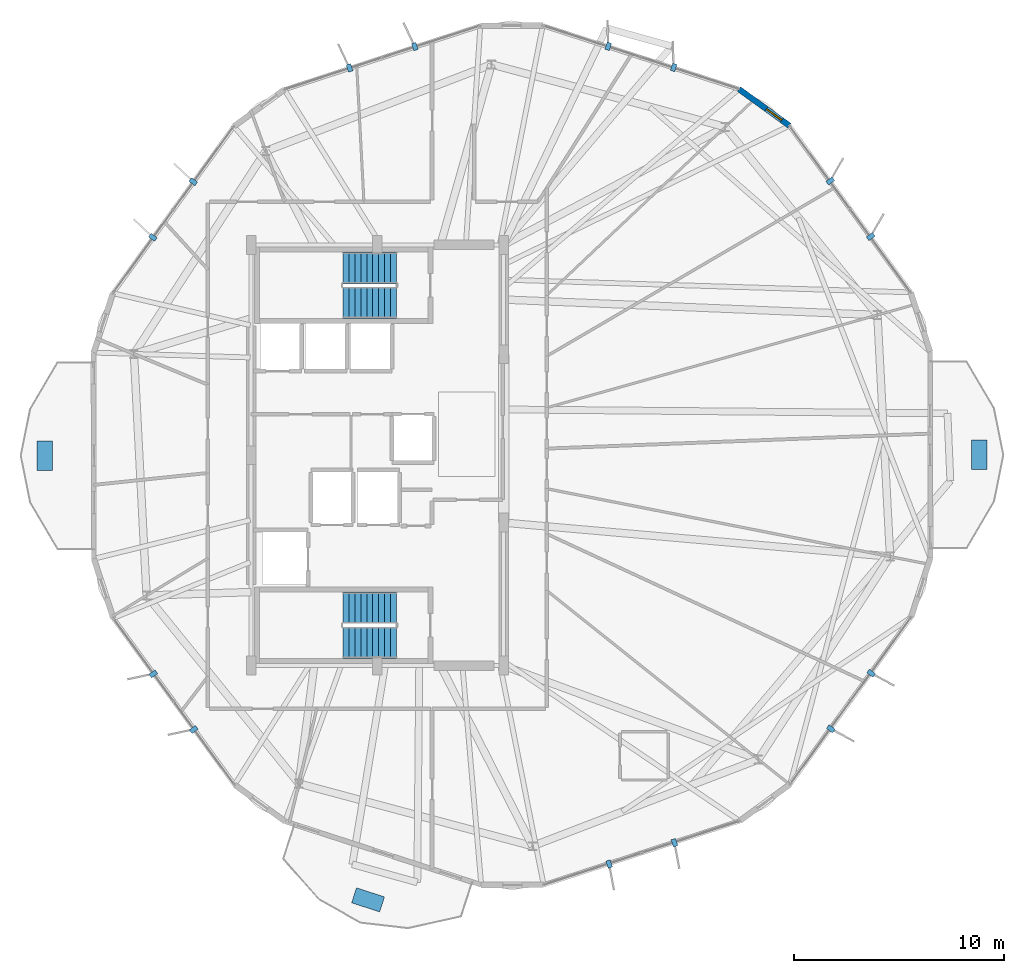
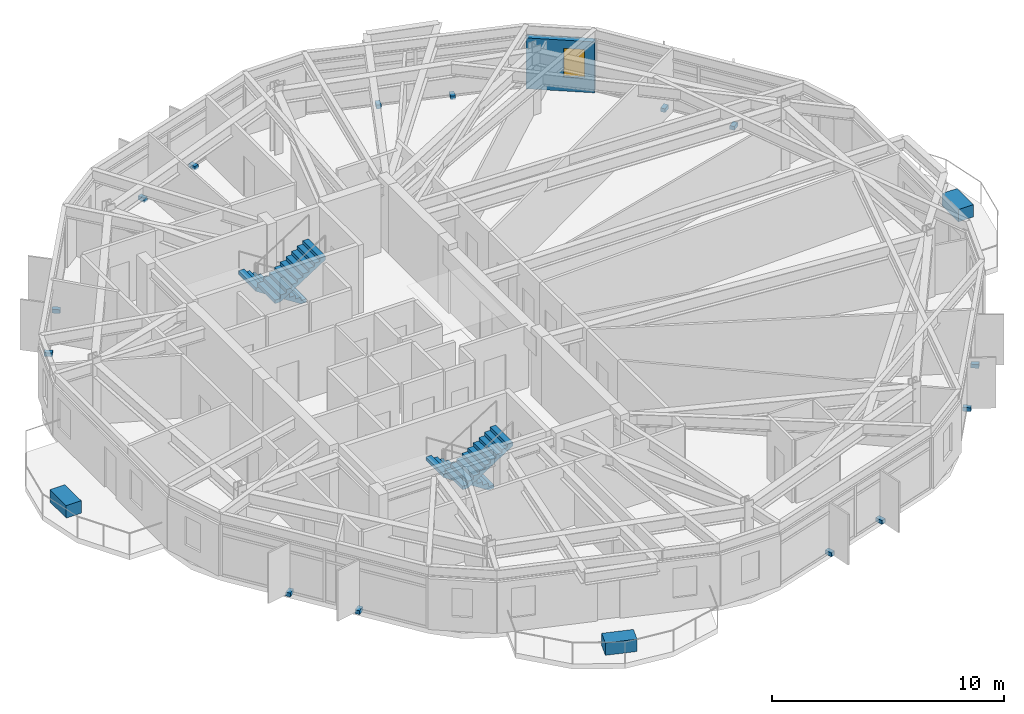
# One storey, part 28 of 31: 17 discrete accessories, 4 stair flights, 1 wall, 1 window, 1 opening, 2 elements without a shape of their own.
"""IFC4 building model written with IfcOpenShell, lengths in metres."""

from ifc_helpers import new_model, si_unit, direction, frame, frame_2d, origin, origin_2d, place, context, subcontext, project, spatial, polyline, rectangle, outline, extrude, material, layer, layer_set, type_object, element, fill, aggregate, save


model = new_model("IFC4")

# Units and contexts
model_context = context("Model", 3, precision=1e-05, world=origin(), true_north=direction((0.0, 1.0)))
body_context = subcontext(model_context, "Body", "Model", "MODEL_VIEW")
ifc_project = project(units=[si_unit("LENGTHUNIT", "METRE"), si_unit("AREAUNIT", "SQUARE_METRE"), si_unit("VOLUMEUNIT", "CUBIC_METRE"), si_unit("PLANEANGLEUNIT", "RADIAN"), si_unit("MASSUNIT", "GRAM", prefix="KILO")], contexts=[model_context])

# Site, building, storey
site_placement = place(None, origin())
site = spatial("IfcSite", under=ifc_project, at=site_placement, CompositionType="ELEMENT")
building_placement = place(site_placement, origin())
building = spatial("IfcBuilding", under=site, at=building_placement, Name="Soratama Intermodal Tower", CompositionType="ELEMENT")
storey_placement = place(building_placement, frame((0.0, 0.0, 230.199951171875)))
storey = spatial("IfcBuildingStorey", under=building, at=storey_placement, Name="L58", CompositionType="ELEMENT", Elevation=230.199951171875)

# Wall, opening, window
ifc_material_1 = material(Name="Concrete f'c 42 MPa", Category="concrete")
ifc_layer_1 = layer(ifc_material_1, 0.27001953125)
ifc_layer_set_1 = layer_set([ifc_layer_1], Name="Concrete f'c 42 MPa")
wall_type = type_object("IfcWallType", Name="EW-CRN-270", PredefinedType="SOLIDWALL", material=ifc_layer_set_1)
wall_placement = place(storey_placement, frame((58.18505859375, 40.660400390625, 0.0), z_axis=(0.0, 0.0, 1.0), x_axis=(-0.809631952519, 0.586937902558, 0.0)))
wall = element("IfcWall", 1, at=wall_placement, inside=storey, type_object=wall_type, Name="L58 Corner Closure Wall 10", PredefinedType="SOLIDWALL", context=body_context, shape_type="SweptSolid", body=[
    extrude(rectangle(XDim=2.966552734375, YDim=0.27001953125, at=frame_2d((1.4833984375, 0.0))), origin(), (0.0, 0.0, 1.0), 2.678955078125),
])
opening_placement = place(wall_placement, frame((0.449951171875, 0.0, 0.75)))
opening = element("IfcOpeningElement", 2, at=opening_placement, cuts=wall, Name="Opening WN-6", PredefinedType="OPENING", context=body_context, shape_type="SweptSolid", body=[
    extrude(rectangle(XDim=0.89990234375, YDim=1.5, at=frame_2d((0.449951171875, 0.75))), frame((0.0, 0.14501953125, 0.0), z_axis=(0.0, -1.0, 0.0), x_axis=(1.0, 0.0, 0.0)), (0.0, 0.0, 1.0), 0.2900390625),
])
ifc_material_2 = material(Name="Double-glazed aluminium window", Category="aluminium")
window_type = type_object("IfcWindowType", Name="WN-FAC-900", PartitioningType="SINGLE_PANEL", PredefinedType="WINDOW", material=ifc_material_2)
window_placement = place(opening_placement, origin())
window = element("IfcWindow", 3, at=window_placement, inside=storey, type_object=window_type, Name="L58 Corner Window 10", OverallHeight=1.5, OverallWidth=0.89990234375, PartitioningType="SINGLE_PANEL", PredefinedType="WINDOW", context=body_context, shape_type="SweptSolid", body=[
    extrude(rectangle(XDim=0.89990234375, YDim=1.5, at=frame_2d((0.449951171875, 0.75))), frame((0.0, 0.030029296875, 0.0), z_axis=(0.0, -1.0, 0.0), x_axis=(1.0, 0.0, 0.0)), (0.0, 0.0, 1.0), 0.06005859375),
])
fill(opening, window)

# Stair, stair flights
ifc_material_3 = material(Name="Concrete f'c 42 MPa", Category="concrete")
stair_type = type_object("IfcStairType", Name="ST-CORE-DOGLEG", PredefinedType="HALF_TURN_STAIR", material=ifc_material_3)
stair_1_placement = place(storey_placement, origin())
stair_1 = element("IfcStair", 4, at=stair_1_placement, inside=storey, type_object=stair_type, Name="L58 ST-1", PredefinedType="HALF_TURN_STAIR")
ifc_material_4 = material(Name="Precast concrete f'c 40 MPa", Category="concrete")
ifc_layer_2 = layer(ifc_material_4, 0.199951171875)
ifc_layer_set_2 = layer_set([ifc_layer_2], Name="Precast concrete f'c 40 MPa")
stair_flight_type = type_object("IfcStairFlightType", Name="SF-FLIGHT-RC", PredefinedType="STRAIGHT", material=ifc_layer_set_2)
stair_flight_1_placement = place(storey_placement, frame((39.5, 17.75, 0.0), z_axis=(0.0, 0.0, 1.0), x_axis=(-1.0, 0.0, 0.0)))
stair_flight_1 = element("IfcStairFlight", 5, at=stair_flight_1_placement, type_object=stair_flight_type, Name="ST-1 flight 1", NumberOfRisers=10, NumberOfTreads=9, PredefinedType="STRAIGHT", RiserHeight=0.18, TreadLength=0.28, context=body_context, shape_type="SweptSolid", body=[
    extrude(outline(polyline([(0.0, 0.0), (0.0, 0.179931640625), (0.280029296875, 0.179931640625), (0.280029296875, 0.360107421875), (0.56005859375, 0.360107421875), (0.56005859375, 0.5400390625), (0.840087890625, 0.5400390625), (0.840087890625, 0.719970703125), (1.1201171875, 0.719970703125), (1.1201171875, 0.89990234375), (1.39990234375, 0.89990234375), (1.39990234375, 1.080078125), (1.679931640625, 1.080078125), (1.679931640625, 1.260009765625), (1.9599609375, 1.260009765625), (1.9599609375, 1.43994140625), (2.239990234375, 1.43994140625), (2.239990234375, 1.6201171875), (2.52001953125, 1.6201171875), (2.52001953125, 1.800048828125), (2.52001953125, 1.44189453125), (0.277099609375, 0.0), (0.0, 0.0)])), frame((0.0, 0.75, 0.0), z_axis=(0.0, -1.0, 0.0), x_axis=(1.0, 0.0, 0.0)), (0.0, 0.0, 1.0), 1.5),
])
stair_flight_2_placement = place(storey_placement, frame((36.97998046875, 16.10009765625, 1.800048828125), z_axis=(0.0, 0.0, 1.0), x_axis=(1.0, 0.0, 0.0)))
stair_flight_2 = element("IfcStairFlight", 6, at=stair_flight_2_placement, type_object=stair_flight_type, Name="ST-1 flight 2", NumberOfRisers=10, NumberOfTreads=9, PredefinedType="STRAIGHT", RiserHeight=0.18, TreadLength=0.28, context=body_context, shape_type="SweptSolid", body=[
    extrude(outline(polyline([(0.0, 0.0), (0.0, 0.179931640625), (0.280029296875, 0.179931640625), (0.280029296875, 0.360107421875), (0.56005859375, 0.360107421875), (0.56005859375, 0.5400390625), (0.840087890625, 0.5400390625), (0.840087890625, 0.719970703125), (1.1201171875, 0.719970703125), (1.1201171875, 0.89990234375), (1.39990234375, 0.89990234375), (1.39990234375, 1.080078125), (1.679931640625, 1.080078125), (1.679931640625, 1.260009765625), (1.9599609375, 1.260009765625), (1.9599609375, 1.43994140625), (2.239990234375, 1.43994140625), (2.239990234375, 1.6201171875), (2.52001953125, 1.6201171875), (2.52001953125, 1.800048828125), (2.52001953125, 1.44189453125), (0.277099609375, 0.0), (0.0, 0.0)])), frame((0.0, 0.75, 0.0), z_axis=(0.0, -1.0, 0.0), x_axis=(1.0, 0.0, 0.0)), (0.0, 0.0, 1.0), 1.5),
])
aggregate(stair_1, [stair_flight_1, stair_flight_2])

stair_2_placement = place(storey_placement, origin())
stair_2 = element("IfcStair", 7, at=stair_2_placement, inside=storey, type_object=stair_type, Name="L58 ST-2", PredefinedType="HALF_TURN_STAIR")
stair_flight_3_placement = place(storey_placement, frame((39.5, 33.89990234375, 0.0), z_axis=(0.0, 0.0, 1.0), x_axis=(-1.0, 0.0, 0.0)))
stair_flight_3 = element("IfcStairFlight", 8, at=stair_flight_3_placement, type_object=stair_flight_type, Name="ST-2 flight 1", NumberOfRisers=10, NumberOfTreads=9, PredefinedType="STRAIGHT", RiserHeight=0.18, TreadLength=0.28, context=body_context, shape_type="SweptSolid", body=[
    extrude(outline(polyline([(0.0, 0.0), (0.0, 0.179931640625), (0.280029296875, 0.179931640625), (0.280029296875, 0.360107421875), (0.56005859375, 0.360107421875), (0.56005859375, 0.5400390625), (0.840087890625, 0.5400390625), (0.840087890625, 0.719970703125), (1.1201171875, 0.719970703125), (1.1201171875, 0.89990234375), (1.39990234375, 0.89990234375), (1.39990234375, 1.080078125), (1.679931640625, 1.080078125), (1.679931640625, 1.260009765625), (1.9599609375, 1.260009765625), (1.9599609375, 1.43994140625), (2.239990234375, 1.43994140625), (2.239990234375, 1.6201171875), (2.52001953125, 1.6201171875), (2.52001953125, 1.800048828125), (2.52001953125, 1.44189453125), (0.277099609375, 0.0), (0.0, 0.0)])), frame((0.0, 0.75, 0.0), z_axis=(0.0, -1.0, 0.0), x_axis=(1.0, 0.0, 0.0)), (0.0, 0.0, 1.0), 1.5),
])
stair_flight_4_placement = place(storey_placement, frame((36.97998046875, 32.25, 1.800048828125), z_axis=(0.0, 0.0, 1.0), x_axis=(1.0, 0.0, 0.0)))
stair_flight_4 = element("IfcStairFlight", 9, at=stair_flight_4_placement, type_object=stair_flight_type, Name="ST-2 flight 2", NumberOfRisers=10, NumberOfTreads=9, PredefinedType="STRAIGHT", RiserHeight=0.18, TreadLength=0.28, context=body_context, shape_type="SweptSolid", body=[
    extrude(outline(polyline([(0.0, 0.0), (0.0, 0.179931640625), (0.280029296875, 0.179931640625), (0.280029296875, 0.360107421875), (0.56005859375, 0.360107421875), (0.56005859375, 0.5400390625), (0.840087890625, 0.5400390625), (0.840087890625, 0.719970703125), (1.1201171875, 0.719970703125), (1.1201171875, 0.89990234375), (1.39990234375, 0.89990234375), (1.39990234375, 1.080078125), (1.679931640625, 1.080078125), (1.679931640625, 1.260009765625), (1.9599609375, 1.260009765625), (1.9599609375, 1.43994140625), (2.239990234375, 1.43994140625), (2.239990234375, 1.6201171875), (2.52001953125, 1.6201171875), (2.52001953125, 1.800048828125), (2.52001953125, 1.44189453125), (0.277099609375, 0.0), (0.0, 0.0)])), frame((0.0, 0.75, 0.0), z_axis=(0.0, -1.0, 0.0), x_axis=(1.0, 0.0, 0.0)), (0.0, 0.0, 1.0), 1.5),
])
aggregate(stair_2, [stair_flight_3, stair_flight_4])

# Discrete accessories
ifc_material_5 = material(Name="Structural steel ASTM A992 Grade 50", Category="steel")
discrete_accessory_type_1 = type_object("IfcDiscreteAccessoryType", Name="AC-FIN-BRACKET", PredefinedType="BRACKET", material=ifc_material_5)
for number, where, z_axis, x_axis, name in (
    (10, (52.682373046875, 43.4267578125, -0.080078125), (0.0, 0.0, 1.0), (0.308020881065, 0.951379596601, 0.0), "L58 Fin Bracket F01-1"),
    (11, (49.5751953125, 44.4326171875, -0.080078125), (0.0, 0.0, 1.0), (0.308020881065, 0.951379596601, 0.0), "L58 Fin Bracket F01-2"),
    (12, (40.384033203125, 44.423095703125, -0.080078125), (0.0, 0.0, 1.0), (-0.31001276881, 0.950732393039, 0.0), "L58 Fin Bracket F02-1"),
    (13, (37.279296875, 43.41064453125, -0.080078125), (0.0, 0.0, 1.0), (-0.31001276881, 0.950732393039, 0.0), "L58 Fin Bracket F02-2"),
    (14, (29.84912109375, 38.00048828125, -0.080078125), (0.0, 0.0, 1.0), (-0.809632077946, 0.586937729543, 0.0), "L58 Fin Bracket F03-1"),
    (15, (27.932373046875, 35.356201171875, -0.080078125), (0.0, 0.0, 1.0), (-0.809632077946, 0.586937729543, 0.0), "L58 Fin Bracket F03-2"),
    (16, (27.9541015625, 14.60791015625, -0.080078125), (0.0, 0.0, 1.0), (-0.808401023617, -0.588632130464, 0.0), "L58 Fin Bracket F05-1"),
    (17, (29.87646484375, 11.968017578125, -0.080078125), (0.0, 0.0, 1.0), (-0.808401023617, -0.588632130464, 0.0), "L58 Fin Bracket F05-2"),
    (18, (49.615966796875, 5.576904296875, -0.080078125), (0.0, 0.0, 1.0), (0.31001276881, -0.950732393039, 0.0), "L58 Fin Bracket F07-1"),
    (19, (52.720703125, 6.58935546875, -0.080078125), (0.0, 0.0, 1.0), (0.31001276881, -0.950732393039, 0.0), "L58 Fin Bracket F07-2"),
    (20, (60.15087890625, 11.99951171875, -0.080078125), (0.0, 0.0, 1.0), (0.809632077946, -0.586937729543, 0.0), "L58 Fin Bracket F08-1"),
    (21, (62.067626953125, 14.643798828125, -0.080078125), (0.0, 0.0, 1.0), (0.809632077946, -0.586937729543, 0.0), "L58 Fin Bracket F08-2"),
    (22, (62.0458984375, 35.39208984375, -0.080078125), (0.0, 0.0, 1.0), (0.808401023617, 0.588632130464, 0.0), "L58 Fin Bracket F10-1"),
    (23, (60.12353515625, 38.031982421875, -0.080078125), (0.0, 0.0, 1.0), (0.808401023617, 0.588632130464, 0.0), "L58 Fin Bracket F10-2"),
):
    element("IfcDiscreteAccessory", number, at=place(storey_placement, frame(where, z_axis=z_axis, x_axis=x_axis)), inside=storey, type_object=discrete_accessory_type_1, Name=name, PredefinedType="BRACKET", context=body_context, shape_type="SweptSolid", body=[
        extrude(rectangle(XDim=0.360107421875, YDim=0.219970703125, at=origin_2d()), origin(), (0.0, 0.0, 1.0), 0.199951171875),
    ])
ifc_material_6 = material(Name="Precast concrete f'c 40 MPa", Category="concrete")
discrete_accessory_type_2 = type_object("IfcDiscreteAccessoryType", Name="AC-PLANTER-TREE", PredefinedType="USERDEFINED", material=ifc_material_6)
for number, where, z_axis, x_axis, name in (
    (24, (67.20703125, 25.023193359375, 0.0), (0.0, 0.0, 1.0), (0.999999451689, 0.00104719736, 0.0), "L58 Tree Planter 1"),
    (25, (22.79296875, 24.976806640625, 0.0), (0.0, 0.0, 1.0), (-0.999999451689, -0.00104719736, 0.0), "L58 Tree Planter 2"),
    (26, (38.159912109375, 3.87255859375, 0.0), (0.0, 0.0, 1.0), (-0.308020881065, -0.951379596601, 0.0), "L58 Tree Planter 3"),
):
    element("IfcDiscreteAccessory", number, at=place(storey_placement, frame(where, z_axis=z_axis, x_axis=x_axis)), inside=storey, type_object=discrete_accessory_type_2, Name=name, ObjectType="PLANTER", PredefinedType="USERDEFINED", context=body_context, shape_type="SweptSolid", body=[
        extrude(rectangle(XDim=0.75, YDim=1.39990234375, at=origin_2d()), origin(), (0.0, 0.0, 1.0), 0.64990234375),
    ])

save(model, "model.ifc")
